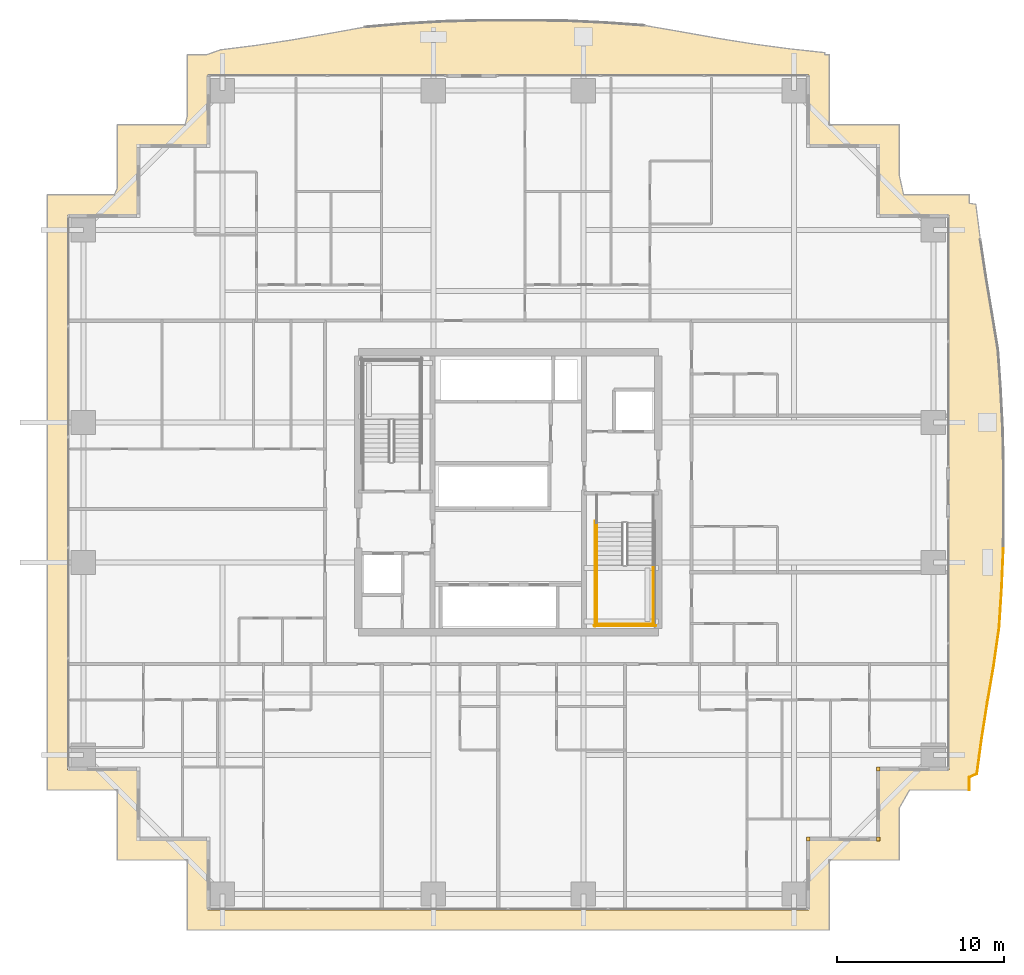
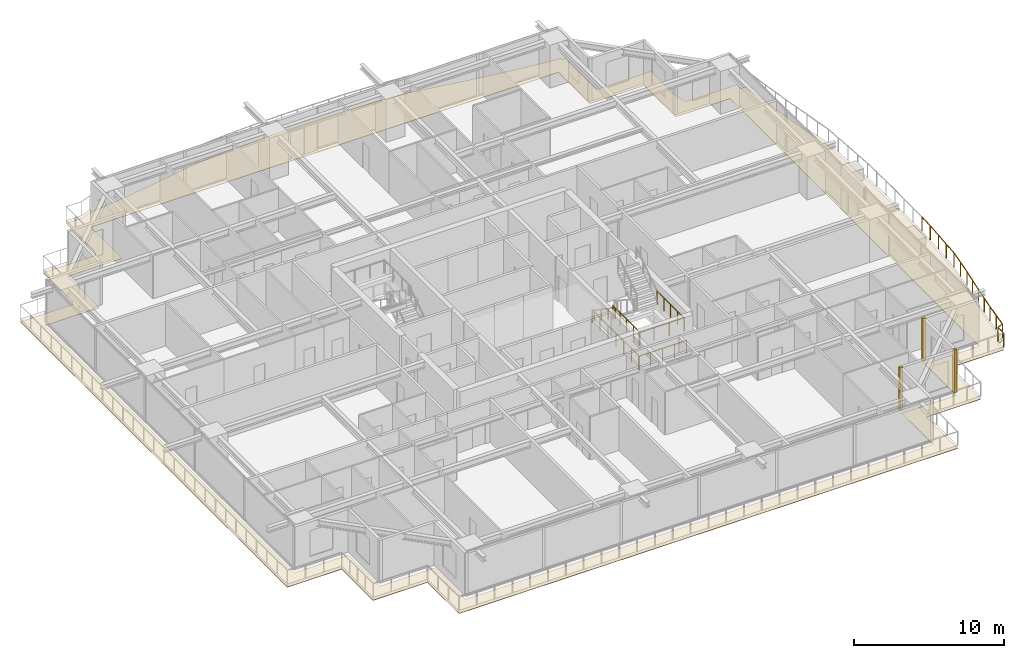
# One storey, part 36 of 38: 7 railings, 4 coverings.
"""IFC4 building model written with IfcOpenShell, lengths in metres."""

from ifc_helpers import new_model, si_unit, direction, frame, origin, origin_2d, place, context, subcontext, project, spatial, polyline, rectangle, circle, outline, extrude, source, transform, mapped, material, layer, layer_set, type_object, element, save


model = new_model("IFC4")

# Units and contexts
model_context = context("Model", 3, precision=1e-05, world=origin(), true_north=direction((0.0, 1.0)))
body_context = subcontext(model_context, "Body", "Model", "MODEL_VIEW")
ifc_project = project(units=[si_unit("LENGTHUNIT", "METRE"), si_unit("AREAUNIT", "SQUARE_METRE"), si_unit("VOLUMEUNIT", "CUBIC_METRE"), si_unit("PLANEANGLEUNIT", "RADIAN"), si_unit("MASSUNIT", "GRAM", prefix="KILO")], contexts=[model_context])

# Site, building, storey
site_placement = place(None, origin())
site = spatial("IfcSite", under=ifc_project, at=site_placement, CompositionType="ELEMENT")
building_placement = place(site_placement, origin())
building = spatial("IfcBuilding", under=site, at=building_placement, Name="Serunith Strait Residences", CompositionType="ELEMENT")
storey_placement = place(building_placement, frame((0.0, 0.0, 67.949951171875)))
storey = spatial("IfcBuildingStorey", under=building, at=storey_placement, Name="L16", CompositionType="ELEMENT", Elevation=67.949951171875)

# Covering
ifc_material_1 = material(Name="Golden Teak Exterior Timber Boarding", Category="wood")
ifc_layer_1 = layer(ifc_material_1, 0.034912109375, Name="Golden Teak Exterior Timber Boarding")
ifc_layer_set_1 = layer_set([ifc_layer_1], Name="Golden Teak Exterior Timber Boarding")
covering_type_1 = type_object("IfcCoveringType", Name="COV-TEAK-SOFFIT", PredefinedType="CEILING", material=ifc_layer_set_1)
covering_placement = place(storey_placement, frame((0.0, 0.0, -0.324951171875)))
element("IfcCovering", 1, at=covering_placement, inside=storey, type_object=covering_type_1, Name="L16 Golden-Teak Balcony Soffit Lining", PredefinedType="CEILING", context=body_context, shape_type="SweptSolid", body=[
    extrude(outline(polyline([(13.003173828125, 47.260009765625), (13.139892578125, 47.773681640625), (13.139892578125, 51.4599609375), (14.3076171875, 51.4599609375), (15.1240234375, 51.751220703125), (17.247802734375, 52.017822265625), (19.389404296875, 52.343017578125), (21.56689453125, 52.71875), (23.800048828125, 53.12158203125), (26.1474609375, 53.322265625), (28.5380859375, 53.45751953125), (30.954833984375, 53.52001953125), (33.3828125, 53.52001953125), (35.80517578125, 53.497314453125), (38.20556640625, 53.382080078125), (40.57177734375, 53.21728515625), (42.82470703125, 52.8271484375), (45.01123046875, 52.43798828125), (47.15673828125, 52.095703125), (49.280517578125, 51.811279296875), (51.397216796875, 51.5849609375), (51.39599609375, 51.4599609375), (51.659912109375, 51.4599609375), (51.659912109375, 47.260009765625), (55.860107421875, 47.260009765625), (55.860107421875, 44.205322265625), (56.12060546875, 43.06005859375), (60.06005859375, 43.06005859375), (60.06005859375, 42.547607421875), (60.45166015625, 42.484375), (60.72509765625, 40.35498046875), (61.0498046875, 38.20458984375), (61.415771484375, 36.016845703125), (61.781982421875, 33.769775390625), (61.943603515625, 31.420166015625), (62.06640625, 29.039306640625), (62.1201171875, 26.63623046875), (62.1201171875, 24.223388671875), (62.103515625, 21.815185546875), (61.999755859375, 19.42578125), (61.85009765625, 17.06591796875), (61.522216796875, 14.7939453125), (61.145751953125, 12.596435546875), (60.8056640625, 10.44140625), (60.515869140625, 8.310791015625), (60.06005859375, 8.10302734375), (60.06005859375, 7.340087890625), (56.477294921875, 7.340087890625), (55.860107421875, 6.26220703125), (55.860107421875, 3.139892578125), (51.659912109375, 3.139892578125), (51.659912109375, -1.06005859375), (13.139892578125, -1.06005859375), (13.139892578125, 3.139892578125), (8.93994140625, 3.139892578125), (8.93994140625, 7.340087890625), (4.739990234375, 7.340087890625), (4.739990234375, 43.06005859375), (8.7587890625, 43.06005859375), (8.93994140625, 43.457763671875), (8.93994140625, 47.260009765625), (13.003173828125, 47.260009765625)]), holes=[polyline([(50.455078125, 0.14501953125), (50.455078125, 4.344970703125), (54.655029296875, 4.344970703125), (54.655029296875, 8.544921875), (58.85498046875, 8.544921875), (58.85498046875, 41.85498046875), (54.655029296875, 41.85498046875), (54.655029296875, 46.054931640625), (50.455078125, 46.054931640625), (50.455078125, 50.2548828125), (14.344970703125, 50.2548828125), (14.344970703125, 46.054931640625), (10.14501953125, 46.054931640625), (10.14501953125, 41.85498046875), (5.945068359375, 41.85498046875), (5.945068359375, 8.544921875), (10.14501953125, 8.544921875), (10.14501953125, 4.344970703125), (14.344970703125, 4.344970703125), (14.344970703125, 0.14501953125), (50.455078125, 0.14501953125)])]), origin(), (0.0, 0.0, 1.0), 0.034912109375),
])

# Railings
ifc_material_2 = material(Name="Stainless Steel & Laminated Glass Balustrade", Category="steel")
railing_type_1 = type_object("IfcRailingType", Name="RLG-BALC-1150", PredefinedType="BALUSTRADE", material=ifc_material_2)
railing_1_placement = place(storey_placement, frame((62.103515625, 21.815185546875, -0.050048828125)))
element("IfcRailing", 2, at=railing_1_placement, inside=storey, type_object=railing_type_1, Name="L16 Swirling Balcony Perimeter Balustrade 6", PredefinedType="BALUSTRADE", context=body_context, shape_type="SweptSolid", body=[
    extrude(circle(Radius=0.02392578125, at=origin_2d()), frame((0.0, -0.001953125, 1.1259765625), z_axis=(-0.043384065493, -0.99905846819, 0.0), x_axis=(0.99905846819, -0.043384065493, 0.0)), (0.0, 0.0, 1.0), 2.3876953125),
    extrude(circle(Radius=0.02392578125, at=origin_2d()), frame((-0.10400390625, -2.391357421875, 1.1259765625), z_axis=(-0.063291020548, -0.997995113574, 0.0), x_axis=(0.997995113574, -0.063291020548, 0.0)), (0.0, 0.0, 1.0), 2.360595703125),
    extrude(circle(Radius=0.02392578125, at=origin_2d()), frame((-0.253662109375, -4.751220703125, 1.1259765625), z_axis=(-0.142835743051, -0.989746407171, 0.0), x_axis=(0.989746407171, -0.142835743051, 0.0)), (0.0, 0.0, 1.0), 2.29150390625),
    extrude(circle(Radius=0.02392578125, at=origin_2d()), frame((-0.58154296875, -7.023193359375, 1.1259765625), z_axis=(-0.168854397408, -0.985641005882, 0.0), x_axis=(0.985641005882, -0.168854397408, 0.0)), (0.0, 0.0, 1.0), 2.2255859375),
    extrude(circle(Radius=0.02392578125, at=origin_2d()), frame((-0.9580078125, -9.220703125, 1.1259765625), z_axis=(-0.15588212313, -0.987775664657, 0.0), x_axis=(0.987775664657, -0.15588212313, 0.0)), (0.0, 0.0, 1.0), 2.177734375),
    extrude(circle(Radius=0.02392578125, at=origin_2d()), frame((-1.298095703125, -11.375732421875, 1.1259765625), z_axis=(-0.134773723932, -0.990876401645, 0.0), x_axis=(0.990876401645, -0.134773723932, 0.0)), (0.0, 0.0, 1.0), 2.146240234375),
    extrude(circle(Radius=0.02392578125, at=origin_2d()), frame((-1.58935546875, -13.505126953125, 1.1259765625), z_axis=(-0.909932011423, -0.414757440665, 0.0), x_axis=(0.414757440665, -0.909932011423, 0.0)), (0.0, 0.0, 1.0), 0.496826171875),
    extrude(circle(Radius=0.02392578125, at=origin_2d()), frame((-2.04345703125, -13.714111328125, 1.1259765625), z_axis=(0.0, -1.0, 0.0), x_axis=(1.0, 0.0, 0.0)), (0.0, 0.0, 1.0), 0.759033203125),
    extrude(circle(Radius=0.02099609375, at=origin_2d()), origin(), (0.0, 0.0, 1.0), 1.099853515625),
    extrude(circle(Radius=0.02099609375, at=origin_2d()), frame((-0.0517578125, -1.19482421875, 0.0)), (0.0, 0.0, 1.0), 1.099853515625),
    extrude(circle(Radius=0.02099609375, at=origin_2d()), frame((-0.103759765625, -2.389404296875, 0.0)), (0.0, 0.0, 1.0), 1.099853515625),
    extrude(circle(Radius=0.02099609375, at=origin_2d()), frame((-0.1787109375, -3.5693359375, 0.0)), (0.0, 0.0, 1.0), 1.099853515625),
    extrude(circle(Radius=0.02099609375, at=origin_2d()), frame((-0.25341796875, -4.749267578125, 0.0)), (0.0, 0.0, 1.0), 1.099853515625),
    extrude(circle(Radius=0.02099609375, at=origin_2d()), frame((-0.41748046875, -5.88525390625, 0.0)), (0.0, 0.0, 1.0), 1.099853515625),
    extrude(circle(Radius=0.02099609375, at=origin_2d()), frame((-0.581298828125, -7.021240234375, 0.0)), (0.0, 0.0, 1.0), 1.099853515625),
    extrude(circle(Radius=0.02099609375, at=origin_2d()), frame((-0.76953125, -8.1201171875, 0.0)), (0.0, 0.0, 1.0), 1.099853515625),
    extrude(circle(Radius=0.02099609375, at=origin_2d()), frame((-0.957763671875, -9.21875, 0.0)), (0.0, 0.0, 1.0), 1.099853515625),
    extrude(circle(Radius=0.02099609375, at=origin_2d()), frame((-1.1279296875, -10.29638671875, 0.0)), (0.0, 0.0, 1.0), 1.099853515625),
    extrude(circle(Radius=0.02099609375, at=origin_2d()), frame((-1.2978515625, -11.373779296875, 0.0)), (0.0, 0.0, 1.0), 1.099853515625),
    extrude(circle(Radius=0.02099609375, at=origin_2d()), frame((-1.44287109375, -12.43896484375, 0.0)), (0.0, 0.0, 1.0), 1.099853515625),
    extrude(circle(Radius=0.02099609375, at=origin_2d()), frame((-1.587646484375, -13.50439453125, 0.0)), (0.0, 0.0, 1.0), 1.099853515625),
    extrude(circle(Radius=0.02099609375, at=origin_2d()), frame((-2.04345703125, -13.712158203125, 0.0)), (0.0, 0.0, 1.0), 1.099853515625),
    extrude(circle(Radius=0.02099609375, at=origin_2d()), frame((-2.04345703125, -14.47509765625, 0.0)), (0.0, 0.0, 1.0), 1.099853515625),
])
ifc_material_3 = material(Name="Brushed stainless steel 316L", Category="steel")
railing_type_2 = type_object("IfcRailingType", Name="RLG-STAIR-GUARD", PredefinedType="BALUSTRADE", material=ifc_material_3)
for number, where, name in (
    (3, (37.699951171875, 20.85009765625, 1.875), "L16 ST-2 stair guard 3"),
    (4, (41.10009765625, 20.85009765625, 1.875), "L16 ST-2 stair guard 4"),
):
    element("IfcRailing", number, at=place(storey_placement, frame(where)), inside=storey, type_object=railing_type_2, Name=name, PredefinedType="BALUSTRADE", context=body_context, shape_type="SweptSolid", body=[
        extrude(circle(Radius=0.02392578125, at=origin_2d()), frame((0.0, -0.001953125, 1.076171875), z_axis=(0.0, -1.0, 0.0), x_axis=(1.0, 0.0, 0.0)), (0.0, 0.0, 1.0), 3.59619140625),
        extrude(circle(Radius=0.02099609375, at=origin_2d()), origin(), (0.0, 0.0, 1.0), 1.050048828125),
        extrude(circle(Radius=0.02099609375, at=origin_2d()), frame((0.0, -0.89990234375, 0.0)), (0.0, 0.0, 1.0), 1.050048828125),
        extrude(circle(Radius=0.02099609375, at=origin_2d()), frame((0.0, -1.800048828125, 0.0)), (0.0, 0.0, 1.0), 1.050048828125),
        extrude(circle(Radius=0.02099609375, at=origin_2d()), frame((0.0, -2.7001953125, 0.0)), (0.0, 0.0, 1.0), 1.050048828125),
        extrude(circle(Radius=0.02099609375, at=origin_2d()), frame((0.0, -3.60009765625, 0.0)), (0.0, 0.0, 1.0), 1.050048828125),
    ])
railing_2_placement = place(storey_placement, frame((37.64990234375, 17.300048828125, 1.875)))
element("IfcRailing", 5, at=railing_2_placement, inside=storey, type_object=railing_type_2, Name="L16 ST-2 stair guard 5", PredefinedType="BALUSTRADE", context=body_context, shape_type="SweptSolid", body=[
    extrude(circle(Radius=0.02392578125, at=origin_2d()), frame((0.001953125, 0.0, 1.076171875), z_axis=(1.0, 0.0, 0.0), x_axis=(0.0, 1.0, 0.0)), (0.0, 0.0, 1.0), 3.49609375),
    extrude(circle(Radius=0.02099609375, at=origin_2d()), origin(), (0.0, 0.0, 1.0), 1.050048828125),
    extrude(circle(Radius=0.02099609375, at=origin_2d()), frame((1.166748046875, 0.0, 0.0)), (0.0, 0.0, 1.0), 1.050048828125),
    extrude(circle(Radius=0.02099609375, at=origin_2d()), frame((2.333251953125, 0.0, 0.0)), (0.0, 0.0, 1.0), 1.050048828125),
    extrude(circle(Radius=0.02099609375, at=origin_2d()), frame((3.5, 0.0, 0.0)), (0.0, 0.0, 1.0), 1.050048828125),
])
railing_3_placement = place(storey_placement, frame((37.60009765625, 23.469970703125, 0.0)))
element("IfcRailing", 6, at=railing_3_placement, inside=storey, type_object=railing_type_2, Name="L16 ST-2 stair guard 10", PredefinedType="BALUSTRADE", context=body_context, shape_type="SweptSolid", body=[
    extrude(circle(Radius=0.02392578125, at=origin_2d()), frame((0.0, -0.001953125, 1.076171875), z_axis=(0.0, -1.0, 0.0), x_axis=(1.0, 0.0, 0.0)), (0.0, 0.0, 1.0), 6.316162109375),
    extrude(circle(Radius=0.02099609375, at=origin_2d()), origin(), (0.0, 0.0, 1.0), 1.050048828125),
    extrude(circle(Radius=0.02099609375, at=origin_2d()), frame((0.0, -1.05322265625, 0.0)), (0.0, 0.0, 1.0), 1.050048828125),
    extrude(circle(Radius=0.02099609375, at=origin_2d()), frame((0.0, -2.106689453125, 0.0)), (0.0, 0.0, 1.0), 1.050048828125),
    extrude(circle(Radius=0.02099609375, at=origin_2d()), frame((0.0, -3.16015625, 0.0)), (0.0, 0.0, 1.0), 1.050048828125),
    extrude(circle(Radius=0.02099609375, at=origin_2d()), frame((0.0, -4.21337890625, 0.0)), (0.0, 0.0, 1.0), 1.050048828125),
    extrude(circle(Radius=0.02099609375, at=origin_2d()), frame((0.0, -5.2666015625, 0.0)), (0.0, 0.0, 1.0), 1.050048828125),
    extrude(circle(Radius=0.02099609375, at=origin_2d()), frame((0.0, -6.320068359375, 0.0)), (0.0, 0.0, 1.0), 1.050048828125),
])
railing_4_placement = place(storey_placement, frame((37.550048828125, 17.199951171875, 0.0)))
element("IfcRailing", 7, at=railing_4_placement, inside=storey, type_object=railing_type_2, Name="L16 ST-2 stair guard 12", PredefinedType="BALUSTRADE", context=body_context, shape_type="SweptSolid", body=[
    extrude(circle(Radius=0.02392578125, at=origin_2d()), frame((0.001953125, 0.0, 1.076171875), z_axis=(1.0, 0.0, 0.0), x_axis=(0.0, 1.0, 0.0)), (0.0, 0.0, 1.0), 3.696044921875),
    extrude(circle(Radius=0.02099609375, at=origin_2d()), origin(), (0.0, 0.0, 1.0), 1.050048828125),
    extrude(circle(Radius=0.02099609375, at=origin_2d()), frame((0.925048828125, 0.0, 0.0)), (0.0, 0.0, 1.0), 1.050048828125),
    extrude(circle(Radius=0.02099609375, at=origin_2d()), frame((1.85009765625, 0.0, 0.0)), (0.0, 0.0, 1.0), 1.050048828125),
    extrude(circle(Radius=0.02099609375, at=origin_2d()), frame((2.77490234375, 0.0, 0.0)), (0.0, 0.0, 1.0), 1.050048828125),
    extrude(circle(Radius=0.02099609375, at=origin_2d()), frame((3.699951171875, 0.0, 0.0)), (0.0, 0.0, 1.0), 1.050048828125),
])
railing_type_3 = type_object("IfcRailingType", Name="RLG-STAIR-HR", PredefinedType="HANDRAIL", material=ifc_material_3)
railing_5_placement = place(storey_placement, frame((37.699951171875, 23.3701171875, 0.1875)))
element("IfcRailing", 8, at=railing_5_placement, inside=storey, type_object=railing_type_3, Name="L16 ST-2 stair handrail 1", PredefinedType="HANDRAIL", context=body_context, shape_type="SweptSolid", body=[
    extrude(circle(Radius=0.02392578125, at=origin_2d()), frame((0.0, -0.001708984375, 0.876953125), z_axis=(0.0, -0.830208209119, 0.557453432594), x_axis=(1.0, 0.0, 0.0)), (0.0, 0.0, 1.0), 3.36865234375),
    extrude(circle(Radius=0.02099609375, at=origin_2d()), origin(), (0.0, 0.0, 1.0), 0.849853515625),
    extrude(circle(Radius=0.02099609375, at=origin_2d()), frame((0.0, -0.933349609375, 0.626708984375)), (0.0, 0.0, 1.0), 0.849853515625),
    extrude(circle(Radius=0.02099609375, at=origin_2d()), frame((0.0, -1.86669921875, 1.25341796875)), (0.0, 0.0, 1.0), 0.849853515625),
    extrude(circle(Radius=0.02099609375, at=origin_2d()), frame((0.0, -2.800048828125, 1.880126953125)), (0.0, 0.0, 1.0), 0.849853515625),
])

# Coverings
ifc_material_4 = material(Name="Pale-Champagne Anodised Aluminium", Category="aluminium")
ifc_layer_2 = layer(ifc_material_4, 0.219970703125, Name="Pale-Champagne Anodised Aluminium")
ifc_layer_set_2 = layer_set([ifc_layer_2], Name="Pale-Champagne Anodised Aluminium")
covering_type_2 = type_object("IfcCoveringType", Name="COV-CORN-TRIM", PredefinedType="CLADDING", material=ifc_layer_set_2)
shared_shape = source(origin(), body_context, "Body", "SweptSolid", [
    extrude(rectangle(XDim=0.221923828125, YDim=0.221923828125, at=origin_2d()), origin(), (0.0, 0.0, 1.0), 3.47509765625),
])
for number, where, z_axis, x_axis, name in (
    (9, (50.39990234375, 4.39990234375, 0.0), (0.0, 0.0, 1.0), (1.0, 0.0, 0.0), "L16 Girih Serrated Corner Trim Post 02"),
    (10, (54.60009765625, 4.39990234375, 0.0), (0.0, 0.0, 1.0), (1.0, 0.0, 0.0), "L16 Girih Serrated Corner Trim Post 03"),
    (11, (54.60009765625, 8.60009765625, 0.0), (0.0, 0.0, 1.0), (1.0, 0.0, 0.0), "L16 Girih Serrated Corner Trim Post 04"),
):
    element("IfcCovering", number, at=place(storey_placement, frame(where, z_axis=z_axis, x_axis=x_axis)), inside=storey, type_object=covering_type_2, Name=name, PredefinedType="CLADDING", context=body_context, shape_type="MappedRepresentation", body=[
        mapped(shared_shape, transform((0.0, 0.0, 0.0), scale=1.0)),
    ])

save(model, "model.ifc")
